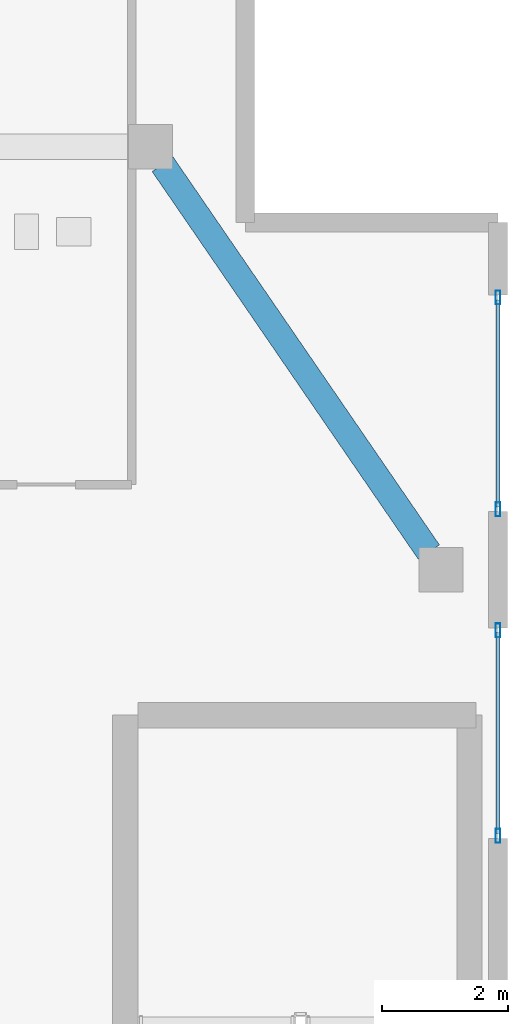
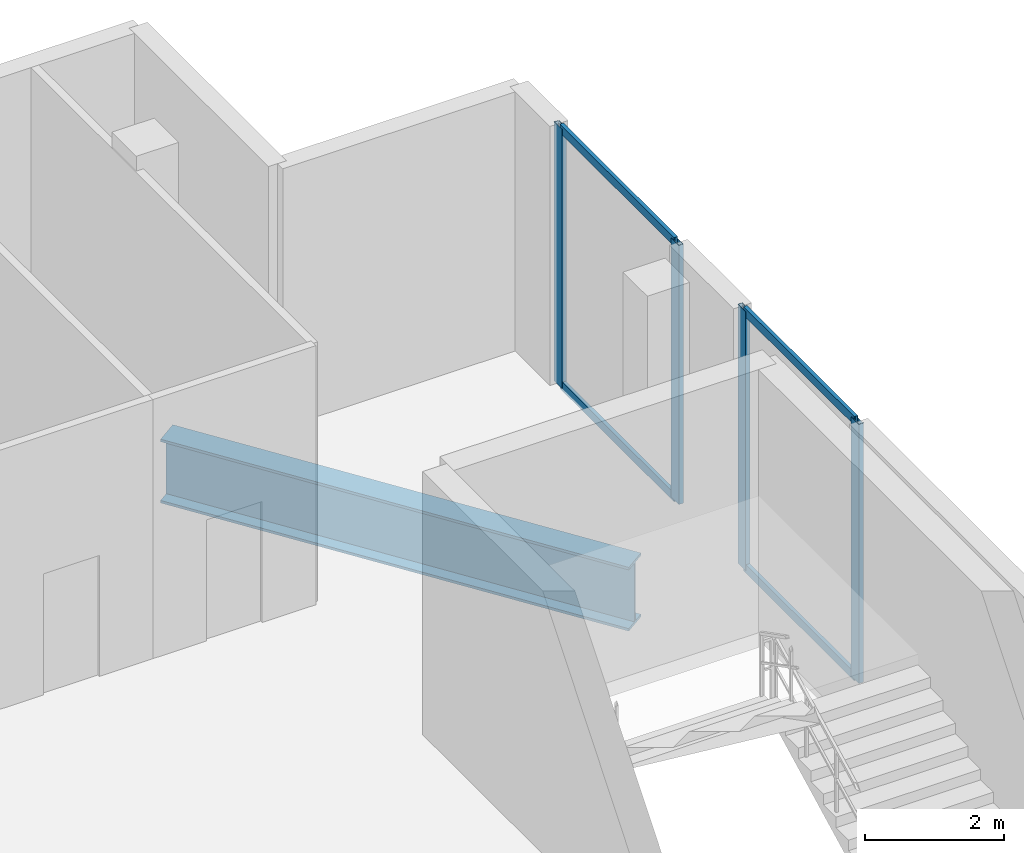
# One storey, part 23 of 33: 8 members, 1 beam, 2 elements without a shape of their own.
"""IFC4 building model written with IfcOpenShell, lengths in metres."""

from ifc_helpers import new_model, si_unit, direction, frame, origin, origin_2d, place, context, subcontext, project, spatial, hollow_rectangle, i_section, extrude, material, layer, layer_set, material_profile, profile_set, type_object, element, aggregate, save


model = new_model("IFC4")

# Units and contexts
model_context = context("Model", 3, precision=1e-05, world=origin(), true_north=direction((0.0, 1.0)))
body_context = subcontext(model_context, "Body", "Model", "MODEL_VIEW")
ifc_project = project(units=[si_unit("LENGTHUNIT", "METRE"), si_unit("AREAUNIT", "SQUARE_METRE"), si_unit("VOLUMEUNIT", "CUBIC_METRE"), si_unit("PLANEANGLEUNIT", "RADIAN"), si_unit("MASSUNIT", "GRAM", prefix="KILO")], contexts=[model_context])

# Site, building, storey
site_placement = place(None, origin())
site = spatial("IfcSite", under=ifc_project, at=site_placement, CompositionType="ELEMENT")
building_placement = place(site_placement, origin())
building = spatial("IfcBuilding", under=site, at=building_placement, Name="Zuhayl Quay Hotel", CompositionType="ELEMENT")
storey_placement = place(building_placement, frame((0.0, 0.0, 18.0)))
storey = spatial("IfcBuildingStorey", under=building, at=storey_placement, Name="L03", CompositionType="ELEMENT", Elevation=18.0)

# Beam
ifc_material_1 = material(Name="Steel ASTM A913 Grade 65", Category="steel")
ifc_material_profile_1 = material_profile(ifc_material_1, i_section(OverallWidth=0.404052734375, OverallDepth=1.117919921875, WebThickness=0.026123046875, FlangeThickness=0.044921875, at=origin_2d()), Name="W44X335")
ifc_profile_set_1 = profile_set([ifc_material_profile_1], Name="Steel ASTM A913 Grade 65")
beam_type = type_object("IfcBeamType", Name="BM_TG1_W44X335", PredefinedType="BEAM", material=ifc_profile_set_1)
beam_placement = place(storey_placement, frame((34.90771484375, 15.7802734375, -0.819091796875), z_axis=(-0.566026455068, 0.824387076659, 0.0), x_axis=(-0.824387076659, -0.566026455068, 0.0)))
element("IfcBeam", 1, at=beam_placement, inside=storey, type_object=beam_type, Name="L03 Floor Beam PG_E_L03_3", PredefinedType="BEAM", context=body_context, shape_type="SweptSolid", body=[
    extrude(i_section(OverallWidth=0.404052734375, OverallDepth=1.117919921875, WebThickness=0.026123046875, FlangeThickness=0.044921875, at=origin_2d()), origin(), (0.0, 0.0, 1.0), 7.447265625),
])

# Curtain wall, members
ifc_material_2 = material(Name="Anodised Aluminium 6063-T6", Category="aluminium")
ifc_layer = layer(ifc_material_2, 0.199951171875, Name="Anodised Aluminium 6063-T6", Category="aluminium")
ifc_layer_set = layer_set([ifc_layer], Name="Anodised Aluminium 6063-T6")
curtain_wall_type = type_object("IfcCurtainWallType", Name="CW_SYS_POD", PredefinedType="USERDEFINED", material=ifc_layer_set)
curtain_wall_1_placement = place(storey_placement, origin())
curtain_wall_1 = element("IfcCurtainWall", 2, at=curtain_wall_1_placement, inside=storey, type_object=curtain_wall_type, Name="L03 Curtain Wall ENV_L03_E08_CW1", ObjectType="UNITISED CURTAIN WALL", PredefinedType="USERDEFINED")
ifc_material_3 = material(Name="Black-anodised aluminium 6063-T6", Category="aluminium")
ifc_material_profile_2 = material_profile(ifc_material_3, hollow_rectangle(XDim=0.074951171875, YDim=0.219970703125, WallThickness=0.00390625, at=origin_2d()), Name="ALU220X75")
ifc_profile_set_2 = profile_set([ifc_material_profile_2], Name="Black-anodised aluminium 6063-T6")
member_type_1 = type_object("IfcMemberType", Name="MB_CW_MUL_220", PredefinedType="MULLION", material=ifc_profile_set_2)
member_1_placement = place(storey_placement, frame((36.0, 19.8125, 0.0), z_axis=(0.0, 0.0, 1.0), x_axis=(1.0, 0.0, 0.0)))
member_1 = element("IfcMember", 3, at=member_1_placement, type_object=member_type_1, Name="CW-POD mullion 1", PredefinedType="MULLION", context=body_context, shape_type="SweptSolid", body=[
    extrude(hollow_rectangle(XDim=0.074951171875, YDim=0.219970703125, WallThickness=0.00390625, at=origin_2d()), origin(), (0.0, 0.0, 1.0), 4.5400390625),
])
member_2_placement = place(storey_placement, frame((36.0, 16.45751953125, 0.0), z_axis=(0.0, 0.0, 1.0), x_axis=(1.0, 0.0, 0.0)))
member_2 = element("IfcMember", 4, at=member_2_placement, type_object=member_type_1, Name="CW-POD mullion 2", PredefinedType="MULLION", context=body_context, shape_type="SweptSolid", body=[
    extrude(hollow_rectangle(XDim=0.074951171875, YDim=0.219970703125, WallThickness=0.00390625, at=origin_2d()), origin(), (0.0, 0.0, 1.0), 4.5400390625),
])

curtain_wall_2_placement = place(storey_placement, origin())
curtain_wall_2 = element("IfcCurtainWall", 5, at=curtain_wall_2_placement, inside=storey, type_object=curtain_wall_type, Name="L03 Curtain Wall ENV_L03_E08_CW2", ObjectType="UNITISED CURTAIN WALL", PredefinedType="USERDEFINED")
member_3_placement = place(storey_placement, frame((36.0, 14.54248046875, 0.0), z_axis=(0.0, 0.0, 1.0), x_axis=(1.0, 0.0, 0.0)))
member_3 = element("IfcMember", 6, at=member_3_placement, type_object=member_type_1, Name="CW-POD mullion 1", PredefinedType="MULLION", context=body_context, shape_type="SweptSolid", body=[
    extrude(hollow_rectangle(XDim=0.074951171875, YDim=0.219970703125, WallThickness=0.00390625, at=origin_2d()), origin(), (0.0, 0.0, 1.0), 4.5400390625),
])
member_4_placement = place(storey_placement, frame((36.0, 11.28759765625, 0.0), z_axis=(0.0, 0.0, 1.0), x_axis=(1.0, 0.0, 0.0)))
member_4 = element("IfcMember", 7, at=member_4_placement, type_object=member_type_1, Name="CW-POD mullion 2", PredefinedType="MULLION", context=body_context, shape_type="SweptSolid", body=[
    extrude(hollow_rectangle(XDim=0.074951171875, YDim=0.219970703125, WallThickness=0.00390625, at=origin_2d()), origin(), (0.0, 0.0, 1.0), 4.5400390625),
])

# Member
ifc_material_profile_3 = material_profile(ifc_material_3, hollow_rectangle(XDim=0.06005859375, YDim=0.14990234375, WallThickness=0.00341796875, at=origin_2d()), Name="ALU150X60")
ifc_profile_set_3 = profile_set([ifc_material_profile_3], Name="Black-anodised aluminium 6063-T6")
member_type_2 = type_object("IfcMemberType", Name="MB_CW_TRN_150", PredefinedType="USERDEFINED", material=ifc_profile_set_3)
member_5_placement = place(storey_placement, frame((36.0, 19.77490234375, 0.030029296875), z_axis=(0.0, -1.0, 0.0), x_axis=(1.0, 0.0, 0.0)))
member_5 = element("IfcMember", 8, at=member_5_placement, type_object=member_type_2, Name="CW-POD transom 1.1", ObjectType="TRANSOM", PredefinedType="USERDEFINED", context=body_context, shape_type="SweptSolid", body=[
    extrude(hollow_rectangle(XDim=0.06005859375, YDim=0.14990234375, WallThickness=0.00341796875, at=origin_2d()), origin(), (0.0, 0.0, 1.0), 3.27978515625),
])

member_6_placement = place(storey_placement, frame((36.0, 19.77490234375, 4.510009765625), z_axis=(0.0, -1.0, 0.0), x_axis=(1.0, 0.0, 0.0)))
member_6 = element("IfcMember", 9, at=member_6_placement, type_object=member_type_2, Name="CW-POD transom 1.2", ObjectType="TRANSOM", PredefinedType="USERDEFINED", context=body_context, shape_type="SweptSolid", body=[
    extrude(hollow_rectangle(XDim=0.06005859375, YDim=0.14990234375, WallThickness=0.00341796875, at=origin_2d()), origin(), (0.0, 0.0, 1.0), 3.27978515625),
])

aggregate(curtain_wall_1, [member_1, member_2, member_5, member_6])

member_7_placement = place(storey_placement, frame((36.0, 14.5048828125, 0.030029296875), z_axis=(0.0, -1.0, 0.0), x_axis=(1.0, 0.0, 0.0)))
member_7 = element("IfcMember", 10, at=member_7_placement, type_object=member_type_2, Name="CW-POD transom 1.1", ObjectType="TRANSOM", PredefinedType="USERDEFINED", context=body_context, shape_type="SweptSolid", body=[
    extrude(hollow_rectangle(XDim=0.06005859375, YDim=0.14990234375, WallThickness=0.00341796875, at=origin_2d()), origin(), (0.0, 0.0, 1.0), 3.179931640625),
])

member_8_placement = place(storey_placement, frame((36.0, 14.5048828125, 4.510009765625), z_axis=(0.0, -1.0, 0.0), x_axis=(1.0, 0.0, 0.0)))
member_8 = element("IfcMember", 11, at=member_8_placement, type_object=member_type_2, Name="CW-POD transom 1.2", ObjectType="TRANSOM", PredefinedType="USERDEFINED", context=body_context, shape_type="SweptSolid", body=[
    extrude(hollow_rectangle(XDim=0.06005859375, YDim=0.14990234375, WallThickness=0.00341796875, at=origin_2d()), origin(), (0.0, 0.0, 1.0), 3.179931640625),
])

aggregate(curtain_wall_2, [member_3, member_4, member_7, member_8])

save(model, "model.ifc")
